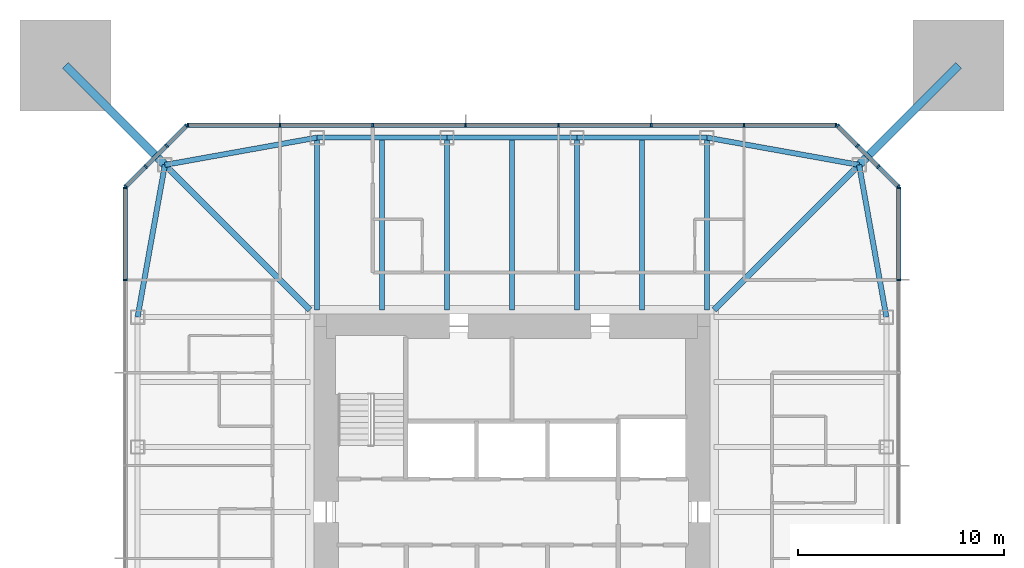
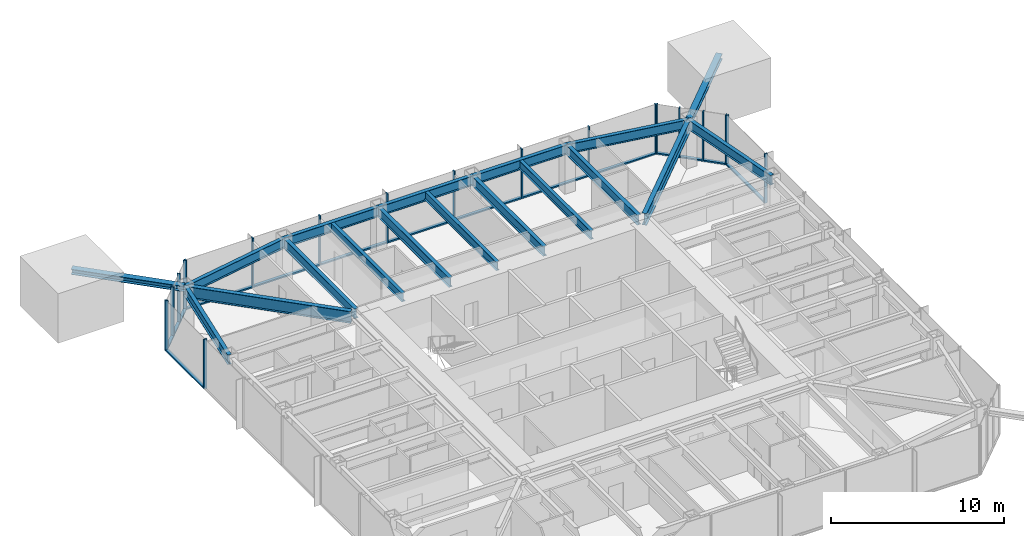
# One storey, part 4 of 11: 37 members, 16 beams, 5 elements without a shape of their own.
"""IFC4 building model written with IfcOpenShell, lengths in metres."""

from ifc_helpers import new_model, si_unit, direction, frame, origin, origin_2d, place, context, subcontext, project, spatial, rectangle, i_section, extrude, material, material_profile, profile_set, type_object, element, aggregate, save


model = new_model("IFC4")

# Units and contexts
model_context = context("Model", 3, precision=1e-05, world=origin(), true_north=direction((0.0, 1.0)))
body_context = subcontext(model_context, "Body", "Model", "MODEL_VIEW")
ifc_project = project(units=[si_unit("LENGTHUNIT", "METRE"), si_unit("AREAUNIT", "SQUARE_METRE"), si_unit("VOLUMEUNIT", "CUBIC_METRE"), si_unit("PLANEANGLEUNIT", "RADIAN"), si_unit("MASSUNIT", "GRAM", prefix="KILO")], contexts=[model_context])

# Site, building, storey
site_placement = place(None, origin())
site = spatial("IfcSite", under=ifc_project, at=site_placement, CompositionType="ELEMENT")
building_placement = place(site_placement, origin())
building = spatial("IfcBuilding", under=site, at=building_placement, Name="Iwan Alto Co-Living Towers", CompositionType="ELEMENT")
storey_placement = place(building_placement, frame((0.0, 0.0, 202.0)))
storey = spatial("IfcBuildingStorey", under=building, at=storey_placement, Name="L55", CompositionType="ELEMENT", Elevation=202.0)

# Curtain wall, members
ifc_material_1 = material(Name="Bronze aluminium unitised frame", Category="aluminium")
curtain_wall_type_1 = type_object("IfcCurtainWallType", Name="CURTAIN WALL CW-A", PredefinedType="NOTDEFINED", material=ifc_material_1)
curtain_wall_1_placement = place(storey_placement, origin())
curtain_wall_1 = element("IfcCurtainWall", 1, at=curtain_wall_1_placement, inside=storey, type_object=curtain_wall_type_1, Name="T1 curtain wall E L55", PredefinedType="NOTDEFINED")
ifc_material_2 = material(Name="Aluminium 6063-T6 bronze anodised", Category="aluminium")
ifc_material_profile_1 = material_profile(ifc_material_2, rectangle(XDim=0.199951171875, YDim=0.080078125, at=origin_2d()), Name="AL 80X200")
ifc_profile_set_1 = profile_set([ifc_material_profile_1], Name="Aluminium 6063-T6 bronze anodised")
member_type_1 = type_object("IfcMemberType", Name="CW-A MULLION 80X200", PredefinedType="MULLION", material=ifc_profile_set_1)
member_1_placement = place(storey_placement, frame((18.75, 11.25, 0.0), z_axis=(0.0, 0.0, 1.0), x_axis=(-1.0, 0.0, 0.0)))
member_1 = element("IfcMember", 2, at=member_1_placement, type_object=member_type_1, Name="CW-A mullion 7", PredefinedType="MULLION", context=body_context, shape_type="SweptSolid", body=[
    extrude(rectangle(XDim=0.199951171875, YDim=0.080078125, at=origin_2d()), origin(), (0.0, 0.0, 1.0), 3.5),
])
member_2_placement = place(storey_placement, frame((18.75, 15.7099609375, 0.0), z_axis=(0.0, 0.0, 1.0), x_axis=(-1.0, 0.0, 0.0)))
member_2 = element("IfcMember", 3, at=member_2_placement, type_object=member_type_1, Name="CW-A mullion 8", PredefinedType="MULLION", context=body_context, shape_type="SweptSolid", body=[
    extrude(rectangle(XDim=0.199951171875, YDim=0.080078125, at=origin_2d()), origin(), (0.0, 0.0, 1.0), 3.5),
])

curtain_wall_2_placement = place(storey_placement, origin())
curtain_wall_2 = element("IfcCurtainWall", 4, at=curtain_wall_2_placement, inside=storey, type_object=curtain_wall_type_1, Name="T1 curtain wall N L55", PredefinedType="NOTDEFINED")
member_3_placement = place(storey_placement, frame((15.7099609375, 18.75, 0.0), z_axis=(0.0, 0.0, 1.0), x_axis=(0.0, -1.0, 0.0)))
member_3 = element("IfcMember", 5, at=member_3_placement, type_object=member_type_1, Name="CW-A mullion 1", PredefinedType="MULLION", context=body_context, shape_type="SweptSolid", body=[
    extrude(rectangle(XDim=0.199951171875, YDim=0.080078125, at=origin_2d()), origin(), (0.0, 0.0, 1.0), 3.5),
])
member_4_placement = place(storey_placement, frame((11.25, 18.75, 0.0), z_axis=(0.0, 0.0, 1.0), x_axis=(0.0, -1.0, 0.0)))
member_4 = element("IfcMember", 6, at=member_4_placement, type_object=member_type_1, Name="CW-A mullion 2", PredefinedType="MULLION", context=body_context, shape_type="SweptSolid", body=[
    extrude(rectangle(XDim=0.199951171875, YDim=0.080078125, at=origin_2d()), origin(), (0.0, 0.0, 1.0), 3.5),
])
member_5_placement = place(storey_placement, frame((6.75, 18.75, 0.0), z_axis=(0.0, 0.0, 1.0), x_axis=(0.0, -1.0, 0.0)))
member_5 = element("IfcMember", 7, at=member_5_placement, type_object=member_type_1, Name="CW-A mullion 3", PredefinedType="MULLION", context=body_context, shape_type="SweptSolid", body=[
    extrude(rectangle(XDim=0.199951171875, YDim=0.080078125, at=origin_2d()), origin(), (0.0, 0.0, 1.0), 3.5),
])
member_6_placement = place(storey_placement, frame((2.25, 18.75, 0.0), z_axis=(0.0, 0.0, 1.0), x_axis=(0.0, -1.0, 0.0)))
member_6 = element("IfcMember", 8, at=member_6_placement, type_object=member_type_1, Name="CW-A mullion 4", PredefinedType="MULLION", context=body_context, shape_type="SweptSolid", body=[
    extrude(rectangle(XDim=0.199951171875, YDim=0.080078125, at=origin_2d()), origin(), (0.0, 0.0, 1.0), 3.5),
])
member_7_placement = place(storey_placement, frame((-2.25, 18.75, 0.0), z_axis=(0.0, 0.0, 1.0), x_axis=(0.0, -1.0, 0.0)))
member_7 = element("IfcMember", 9, at=member_7_placement, type_object=member_type_1, Name="CW-A mullion 5", PredefinedType="MULLION", context=body_context, shape_type="SweptSolid", body=[
    extrude(rectangle(XDim=0.199951171875, YDim=0.080078125, at=origin_2d()), origin(), (0.0, 0.0, 1.0), 3.5),
])
member_8_placement = place(storey_placement, frame((-6.75, 18.75, 0.0), z_axis=(0.0, 0.0, 1.0), x_axis=(0.0, -1.0, 0.0)))
member_8 = element("IfcMember", 10, at=member_8_placement, type_object=member_type_1, Name="CW-A mullion 6", PredefinedType="MULLION", context=body_context, shape_type="SweptSolid", body=[
    extrude(rectangle(XDim=0.199951171875, YDim=0.080078125, at=origin_2d()), origin(), (0.0, 0.0, 1.0), 3.5),
])
member_9_placement = place(storey_placement, frame((-11.25, 18.75, 0.0), z_axis=(0.0, 0.0, 1.0), x_axis=(0.0, -1.0, 0.0)))
member_9 = element("IfcMember", 11, at=member_9_placement, type_object=member_type_1, Name="CW-A mullion 7", PredefinedType="MULLION", context=body_context, shape_type="SweptSolid", body=[
    extrude(rectangle(XDim=0.199951171875, YDim=0.080078125, at=origin_2d()), origin(), (0.0, 0.0, 1.0), 3.5),
])
member_10_placement = place(storey_placement, frame((-15.7099609375, 18.75, 0.0), z_axis=(0.0, 0.0, 1.0), x_axis=(0.0, -1.0, 0.0)))
member_10 = element("IfcMember", 12, at=member_10_placement, type_object=member_type_1, Name="CW-A mullion 8", PredefinedType="MULLION", context=body_context, shape_type="SweptSolid", body=[
    extrude(rectangle(XDim=0.199951171875, YDim=0.080078125, at=origin_2d()), origin(), (0.0, 0.0, 1.0), 3.5),
])

curtain_wall_3_placement = place(storey_placement, origin())
curtain_wall_3 = element("IfcCurtainWall", 13, at=curtain_wall_3_placement, inside=storey, type_object=curtain_wall_type_1, Name="T1 curtain wall W L55", PredefinedType="NOTDEFINED")
member_11_placement = place(storey_placement, frame((-18.75, 15.7099609375, 0.0), z_axis=(0.0, 0.0, 1.0), x_axis=(1.0, 0.0, 0.0)))
member_11 = element("IfcMember", 14, at=member_11_placement, type_object=member_type_1, Name="CW-A mullion 1", PredefinedType="MULLION", context=body_context, shape_type="SweptSolid", body=[
    extrude(rectangle(XDim=0.199951171875, YDim=0.080078125, at=origin_2d()), origin(), (0.0, 0.0, 1.0), 3.5),
])
member_12_placement = place(storey_placement, frame((-18.75, 11.25, 0.0), z_axis=(0.0, 0.0, 1.0), x_axis=(1.0, 0.0, 0.0)))
member_12 = element("IfcMember", 15, at=member_12_placement, type_object=member_type_1, Name="CW-A mullion 2", PredefinedType="MULLION", context=body_context, shape_type="SweptSolid", body=[
    extrude(rectangle(XDim=0.199951171875, YDim=0.080078125, at=origin_2d()), origin(), (0.0, 0.0, 1.0), 3.5),
])

# Member
ifc_material_3 = material(Name="Aluminium 6063-T6 bronze anodised", Category="aluminium")
ifc_material_profile_2 = material_profile(ifc_material_3, rectangle(XDim=0.199951171875, YDim=0.10009765625, at=origin_2d()), Name="AL 200X100")
ifc_profile_set_2 = profile_set([ifc_material_profile_2], Name="Aluminium 6063-T6 bronze anodised")
member_type_2 = type_object("IfcMemberType", Name="CW-A TRANSOM 200X100", PredefinedType="USERDEFINED", material=ifc_profile_set_2)
member_13_placement = place(storey_placement, frame((18.75, 11.2900390625, 0.050048828125), z_axis=(0.0, 1.0, 0.0), x_axis=(-1.0, 0.0, 0.0)))
member_13 = element("IfcMember", 16, at=member_13_placement, type_object=member_type_2, Name="CW-A transom 7.1", ObjectType="TRANSOM", PredefinedType="USERDEFINED", context=body_context, shape_type="SweptSolid", body=[
    extrude(rectangle(XDim=0.199951171875, YDim=0.10009765625, at=origin_2d()), origin(), (0.0, 0.0, 1.0), 4.3798828125),
])

aggregate(curtain_wall_1, [member_1, member_2, member_13])

member_14_placement = place(storey_placement, frame((15.669921875, 18.75, 0.050048828125), z_axis=(-1.0, 0.0, 0.0), x_axis=(0.0, -1.0, 0.0)))
member_14 = element("IfcMember", 17, at=member_14_placement, type_object=member_type_2, Name="CW-A transom 1.1", ObjectType="TRANSOM", PredefinedType="USERDEFINED", context=body_context, shape_type="SweptSolid", body=[
    extrude(rectangle(XDim=0.199951171875, YDim=0.10009765625, at=origin_2d()), origin(), (0.0, 0.0, 1.0), 4.3798828125),
])

member_15_placement = place(storey_placement, frame((11.2099609375, 18.75, 0.050048828125), z_axis=(-1.0, 0.0, 0.0), x_axis=(0.0, -1.0, 0.0)))
member_15 = element("IfcMember", 18, at=member_15_placement, type_object=member_type_2, Name="CW-A transom 2.1", ObjectType="TRANSOM", PredefinedType="USERDEFINED", context=body_context, shape_type="SweptSolid", body=[
    extrude(rectangle(XDim=0.199951171875, YDim=0.10009765625, at=origin_2d()), origin(), (0.0, 0.0, 1.0), 4.419921875),
])

member_16_placement = place(storey_placement, frame((6.7099609375, 18.75, 0.050048828125), z_axis=(-1.0, 0.0, 0.0), x_axis=(0.0, -1.0, 0.0)))
member_16 = element("IfcMember", 19, at=member_16_placement, type_object=member_type_2, Name="CW-A transom 3.1", ObjectType="TRANSOM", PredefinedType="USERDEFINED", context=body_context, shape_type="SweptSolid", body=[
    extrude(rectangle(XDim=0.199951171875, YDim=0.10009765625, at=origin_2d()), origin(), (0.0, 0.0, 1.0), 4.419921875),
])

member_17_placement = place(storey_placement, frame((2.2099609375, 18.75, 0.050048828125), z_axis=(-1.0, 0.0, 0.0), x_axis=(0.0, -1.0, 0.0)))
member_17 = element("IfcMember", 20, at=member_17_placement, type_object=member_type_2, Name="CW-A transom 4.1", ObjectType="TRANSOM", PredefinedType="USERDEFINED", context=body_context, shape_type="SweptSolid", body=[
    extrude(rectangle(XDim=0.199951171875, YDim=0.10009765625, at=origin_2d()), origin(), (0.0, 0.0, 1.0), 4.419921875),
])

member_18_placement = place(storey_placement, frame((-2.2900390625, 18.75, 0.050048828125), z_axis=(-1.0, 0.0, 0.0), x_axis=(0.0, -1.0, 0.0)))
member_18 = element("IfcMember", 21, at=member_18_placement, type_object=member_type_2, Name="CW-A transom 5.1", ObjectType="TRANSOM", PredefinedType="USERDEFINED", context=body_context, shape_type="SweptSolid", body=[
    extrude(rectangle(XDim=0.199951171875, YDim=0.10009765625, at=origin_2d()), origin(), (0.0, 0.0, 1.0), 4.419921875),
])

member_19_placement = place(storey_placement, frame((-6.7900390625, 18.75, 0.050048828125), z_axis=(-1.0, 0.0, 0.0), x_axis=(0.0, -1.0, 0.0)))
member_19 = element("IfcMember", 22, at=member_19_placement, type_object=member_type_2, Name="CW-A transom 6.1", ObjectType="TRANSOM", PredefinedType="USERDEFINED", context=body_context, shape_type="SweptSolid", body=[
    extrude(rectangle(XDim=0.199951171875, YDim=0.10009765625, at=origin_2d()), origin(), (0.0, 0.0, 1.0), 4.419921875),
])

member_20_placement = place(storey_placement, frame((-11.2900390625, 18.75, 0.050048828125), z_axis=(-1.0, 0.0, 0.0), x_axis=(0.0, -1.0, 0.0)))
member_20 = element("IfcMember", 23, at=member_20_placement, type_object=member_type_2, Name="CW-A transom 7.1", ObjectType="TRANSOM", PredefinedType="USERDEFINED", context=body_context, shape_type="SweptSolid", body=[
    extrude(rectangle(XDim=0.199951171875, YDim=0.10009765625, at=origin_2d()), origin(), (0.0, 0.0, 1.0), 4.3798828125),
])

aggregate(curtain_wall_2, [member_3, member_4, member_5, member_6, member_7, member_8, member_9, member_10, member_14, member_15, member_16, member_17, member_18, member_19, member_20])

member_21_placement = place(storey_placement, frame((-18.75, 15.669921875, 0.050048828125), z_axis=(0.0, -1.0, 0.0), x_axis=(1.0, 0.0, 0.0)))
member_21 = element("IfcMember", 24, at=member_21_placement, type_object=member_type_2, Name="CW-A transom 1.1", ObjectType="TRANSOM", PredefinedType="USERDEFINED", context=body_context, shape_type="SweptSolid", body=[
    extrude(rectangle(XDim=0.199951171875, YDim=0.10009765625, at=origin_2d()), origin(), (0.0, 0.0, 1.0), 4.3798828125),
])

aggregate(curtain_wall_3, [member_11, member_12, member_21])

# Curtain wall, members
ifc_material_4 = material(Name="Bronze aluminium unitised frame", Category="aluminium")
curtain_wall_type_2 = type_object("IfcCurtainWallType", Name="CURTAIN WALL CW-B", PredefinedType="NOTDEFINED", material=ifc_material_4)
curtain_wall_4_placement = place(storey_placement, origin())
curtain_wall_4 = element("IfcCurtainWall", 25, at=curtain_wall_4_placement, inside=storey, type_object=curtain_wall_type_2, Name="T1 chamfer curtain wall NE L55", PredefinedType="NOTDEFINED")
ifc_material_5 = material(Name="Aluminium 6063-T6 bronze anodised", Category="aluminium")
ifc_material_profile_3 = material_profile(ifc_material_5, rectangle(XDim=0.199951171875, YDim=0.080078125, at=origin_2d()), Name="AL 80X200")
ifc_profile_set_3 = profile_set([ifc_material_profile_3], Name="Aluminium 6063-T6 bronze anodised")
member_type_3 = type_object("IfcMemberType", Name="CW-B MULLION 80X200", PredefinedType="MULLION", material=ifc_profile_set_3)
member_22_placement = place(storey_placement, frame((18.7216796875, 15.7783203125, 0.0), z_axis=(0.0, 0.0, 1.0), x_axis=(-0.707106781187, -0.707106781187, 0.0)))
member_22 = element("IfcMember", 26, at=member_22_placement, type_object=member_type_3, Name="CW-B mullion 1", PredefinedType="MULLION", context=body_context, shape_type="SweptSolid", body=[
    extrude(rectangle(XDim=0.199951171875, YDim=0.080078125, at=origin_2d()), origin(), (0.0, 0.0, 1.0), 3.5),
])
member_23_placement = place(storey_placement, frame((17.75, 16.75, 0.0), z_axis=(0.0, 0.0, 1.0), x_axis=(-0.707106781187, -0.707106781187, 0.0)))
member_23 = element("IfcMember", 27, at=member_23_placement, type_object=member_type_3, Name="CW-B mullion 2", PredefinedType="MULLION", context=body_context, shape_type="SweptSolid", body=[
    extrude(rectangle(XDim=0.199951171875, YDim=0.080078125, at=origin_2d()), origin(), (0.0, 0.0, 1.0), 3.5),
])
member_24_placement = place(storey_placement, frame((16.75, 17.75, 0.0), z_axis=(0.0, 0.0, 1.0), x_axis=(-0.707106781187, -0.707106781187, 0.0)))
member_24 = element("IfcMember", 28, at=member_24_placement, type_object=member_type_3, Name="CW-B mullion 3", PredefinedType="MULLION", context=body_context, shape_type="SweptSolid", body=[
    extrude(rectangle(XDim=0.199951171875, YDim=0.080078125, at=origin_2d()), origin(), (0.0, 0.0, 1.0), 3.5),
])
member_25_placement = place(storey_placement, frame((15.7783203125, 18.7216796875, 0.0), z_axis=(0.0, 0.0, 1.0), x_axis=(-0.707106781187, -0.707106781187, 0.0)))
member_25 = element("IfcMember", 29, at=member_25_placement, type_object=member_type_3, Name="CW-B mullion 4", PredefinedType="MULLION", context=body_context, shape_type="SweptSolid", body=[
    extrude(rectangle(XDim=0.199951171875, YDim=0.080078125, at=origin_2d()), origin(), (0.0, 0.0, 1.0), 3.5),
])

curtain_wall_5_placement = place(storey_placement, origin())
curtain_wall_5 = element("IfcCurtainWall", 30, at=curtain_wall_5_placement, inside=storey, type_object=curtain_wall_type_2, Name="T1 chamfer curtain wall NW L55", PredefinedType="NOTDEFINED")
member_26_placement = place(storey_placement, frame((-15.7783203125, 18.7216796875, 0.0), z_axis=(0.0, 0.0, 1.0), x_axis=(0.707106781187, -0.707106781187, 0.0)))
member_26 = element("IfcMember", 31, at=member_26_placement, type_object=member_type_3, Name="CW-B mullion 1", PredefinedType="MULLION", context=body_context, shape_type="SweptSolid", body=[
    extrude(rectangle(XDim=0.199951171875, YDim=0.080078125, at=origin_2d()), origin(), (0.0, 0.0, 1.0), 3.5),
])
member_27_placement = place(storey_placement, frame((-16.75, 17.75, 0.0), z_axis=(0.0, 0.0, 1.0), x_axis=(0.707106781187, -0.707106781187, 0.0)))
member_27 = element("IfcMember", 32, at=member_27_placement, type_object=member_type_3, Name="CW-B mullion 2", PredefinedType="MULLION", context=body_context, shape_type="SweptSolid", body=[
    extrude(rectangle(XDim=0.199951171875, YDim=0.080078125, at=origin_2d()), origin(), (0.0, 0.0, 1.0), 3.5),
])
member_28_placement = place(storey_placement, frame((-17.75, 16.75, 0.0), z_axis=(0.0, 0.0, 1.0), x_axis=(0.707106781187, -0.707106781187, 0.0)))
member_28 = element("IfcMember", 33, at=member_28_placement, type_object=member_type_3, Name="CW-B mullion 3", PredefinedType="MULLION", context=body_context, shape_type="SweptSolid", body=[
    extrude(rectangle(XDim=0.199951171875, YDim=0.080078125, at=origin_2d()), origin(), (0.0, 0.0, 1.0), 3.5),
])
member_29_placement = place(storey_placement, frame((-18.7216796875, 15.7783203125, 0.0), z_axis=(0.0, 0.0, 1.0), x_axis=(0.707106781187, -0.707106781187, 0.0)))
member_29 = element("IfcMember", 34, at=member_29_placement, type_object=member_type_3, Name="CW-B mullion 4", PredefinedType="MULLION", context=body_context, shape_type="SweptSolid", body=[
    extrude(rectangle(XDim=0.199951171875, YDim=0.080078125, at=origin_2d()), origin(), (0.0, 0.0, 1.0), 3.5),
])

# Member
ifc_material_6 = material(Name="Aluminium 6063-T6 bronze anodised", Category="aluminium")
ifc_material_profile_4 = material_profile(ifc_material_6, rectangle(XDim=0.199951171875, YDim=0.10009765625, at=origin_2d()), Name="AL 200X100")
ifc_profile_set_4 = profile_set([ifc_material_profile_4], Name="Aluminium 6063-T6 bronze anodised")
member_type_4 = type_object("IfcMemberType", Name="CW-B TRANSOM 200X100", PredefinedType="USERDEFINED", material=ifc_profile_set_4)
member_30_placement = place(storey_placement, frame((18.693359375, 15.806640625, 0.050048828125), z_axis=(-0.707106781187, 0.707106781187, 0.0), x_axis=(-0.707106781187, -0.707106781187, 0.0)))
member_30 = element("IfcMember", 35, at=member_30_placement, type_object=member_type_4, Name="CW-B transom 1.1", ObjectType="TRANSOM", PredefinedType="USERDEFINED", context=body_context, shape_type="SweptSolid", body=[
    extrude(rectangle(XDim=0.199951171875, YDim=0.10009765625, at=origin_2d()), origin(), (0.0, 0.0, 1.0), 1.2939453125),
])

member_31_placement = place(storey_placement, frame((17.7216796875, 16.7783203125, 0.050048828125), z_axis=(-0.707106781187, 0.707106781187, 0.0), x_axis=(-0.707106781187, -0.707106781187, 0.0)))
member_31 = element("IfcMember", 36, at=member_31_placement, type_object=member_type_4, Name="CW-B transom 2.1", ObjectType="TRANSOM", PredefinedType="USERDEFINED", context=body_context, shape_type="SweptSolid", body=[
    extrude(rectangle(XDim=0.199951171875, YDim=0.10009765625, at=origin_2d()), origin(), (0.0, 0.0, 1.0), 1.334228515625),
])

member_32_placement = place(storey_placement, frame((16.7216796875, 17.7783203125, 0.050048828125), z_axis=(-0.707106781187, 0.707106781187, 0.0), x_axis=(-0.707106781187, -0.707106781187, 0.0)))
member_32 = element("IfcMember", 37, at=member_32_placement, type_object=member_type_4, Name="CW-B transom 3.1", ObjectType="TRANSOM", PredefinedType="USERDEFINED", context=body_context, shape_type="SweptSolid", body=[
    extrude(rectangle(XDim=0.199951171875, YDim=0.10009765625, at=origin_2d()), origin(), (0.0, 0.0, 1.0), 1.2939453125),
])

aggregate(curtain_wall_4, [member_22, member_23, member_24, member_25, member_30, member_31, member_32])

member_33_placement = place(storey_placement, frame((-15.806640625, 18.693359375, 0.050048828125), z_axis=(-0.707106781187, -0.707106781187, 0.0), x_axis=(0.707106781187, -0.707106781187, 0.0)))
member_33 = element("IfcMember", 38, at=member_33_placement, type_object=member_type_4, Name="CW-B transom 1.1", ObjectType="TRANSOM", PredefinedType="USERDEFINED", context=body_context, shape_type="SweptSolid", body=[
    extrude(rectangle(XDim=0.199951171875, YDim=0.10009765625, at=origin_2d()), origin(), (0.0, 0.0, 1.0), 1.2939453125),
])

member_34_placement = place(storey_placement, frame((-16.7783203125, 17.7216796875, 0.050048828125), z_axis=(-0.707106781187, -0.707106781187, 0.0), x_axis=(0.707106781187, -0.707106781187, 0.0)))
member_34 = element("IfcMember", 39, at=member_34_placement, type_object=member_type_4, Name="CW-B transom 2.1", ObjectType="TRANSOM", PredefinedType="USERDEFINED", context=body_context, shape_type="SweptSolid", body=[
    extrude(rectangle(XDim=0.199951171875, YDim=0.10009765625, at=origin_2d()), origin(), (0.0, 0.0, 1.0), 1.334228515625),
])

member_35_placement = place(storey_placement, frame((-17.7783203125, 16.7216796875, 0.050048828125), z_axis=(-0.707106781187, -0.707106781187, 0.0), x_axis=(0.707106781187, -0.707106781187, 0.0)))
member_35 = element("IfcMember", 40, at=member_35_placement, type_object=member_type_4, Name="CW-B transom 3.1", ObjectType="TRANSOM", PredefinedType="USERDEFINED", context=body_context, shape_type="SweptSolid", body=[
    extrude(rectangle(XDim=0.199951171875, YDim=0.10009765625, at=origin_2d()), origin(), (0.0, 0.0, 1.0), 1.2939453125),
])

aggregate(curtain_wall_5, [member_26, member_27, member_28, member_29, member_33, member_34, member_35])

# Beams
ifc_material_7 = material(Name="Steel ASTM A992 Gr 50", Category="steel")
ifc_material_profile_5 = material_profile(ifc_material_7, i_section(OverallWidth=0.2919921875, OverallDepth=0.8408203125, WebThickness=0.0146484375, FlangeThickness=0.021728515625, at=origin_2d()), Name="W33X130")
ifc_profile_set_5 = profile_set([ifc_material_profile_5], Name="Steel ASTM A992 Gr 50")
beam_type_1 = type_object("IfcBeamType", Name="T1 CORNER GIRDER W33X130", PredefinedType="BEAM", material=ifc_profile_set_5)
for number, where, z_axis, x_axis, name in (
    (41, (16.82568359375, 16.82568359375, 2.849609375), (-0.707106781187, -0.707106781187, 0.0), (0.707106781187, -0.707106781187, 0.0), "T1 corner girder CNE L56"),
    (42, (-16.82568359375, 16.82568359375, 2.849609375), (0.707106781187, -0.707106781187, 0.0), (0.707106781187, 0.707106781187, 0.0), "T1 corner girder CNW L56"),
):
    element("IfcBeam", number, at=place(storey_placement, frame(where, z_axis=z_axis, x_axis=x_axis)), inside=storey, type_object=beam_type_1, Name=name, PredefinedType="BEAM", context=body_context, shape_type="SweptSolid", body=[
        extrude(i_section(OverallWidth=0.2919921875, OverallDepth=0.8408203125, WebThickness=0.0146484375, FlangeThickness=0.021728515625, at=origin_2d()), origin(), (0.0, 0.0, 1.0), 9.936767578125),
    ])
ifc_material_8 = material(Name="Steel ASTM A992 Gr 50", Category="steel")
ifc_material_profile_6 = material_profile(ifc_material_8, i_section(OverallWidth=0.25390625, OverallDepth=0.683349609375, WebThickness=0.012451171875, FlangeThickness=0.018798828125, at=origin_2d()), Name="W27X94")
ifc_profile_set_6 = profile_set([ifc_material_profile_6], Name="Steel ASTM A992 Gr 50")
beam_type_2 = type_object("IfcBeamType", Name="T1 EDGE BEAM W27X94", PredefinedType="BEAM", material=ifc_profile_set_6)
for number, where, z_axis, x_axis, name in (
    (43, (18.14990234375, 9.449951171875, 2.928466796875), (-0.17671181143, 0.98426263553, 0.0), (-0.98426263553, -0.17671181143, 0.0), "T1 edge beam E4 L56"),
    (44, (16.82568359375, 16.82568359375, 2.928466796875), (-0.98426263553, 0.17671181143, 0.0), (-0.17671181143, -0.98426263553, 0.0), "T1 edge beam CNE L56"),
):
    element("IfcBeam", number, at=place(storey_placement, frame(where, z_axis=z_axis, x_axis=x_axis)), inside=storey, type_object=beam_type_2, Name=name, PredefinedType="BEAM", context=body_context, shape_type="SweptSolid", body=[
        extrude(i_section(OverallWidth=0.25390625, OverallDepth=0.683349609375, WebThickness=0.012451171875, FlangeThickness=0.018798828125, at=origin_2d()), origin(), (0.0, 0.0, 1.0), 7.49365234375),
    ])
beam_1_placement = place(storey_placement, frame((9.449951171875, 18.14990234375, 2.928466796875), z_axis=(-1.0, 0.0, 0.0), x_axis=(0.0, -1.0, 0.0)))
element("IfcBeam", 45, at=beam_1_placement, inside=storey, type_object=beam_type_2, Name="T1 edge beam N1 L56", PredefinedType="BEAM", context=body_context, shape_type="SweptSolid", body=[
    extrude(i_section(OverallWidth=0.25390625, OverallDepth=0.683349609375, WebThickness=0.012451171875, FlangeThickness=0.018798828125, at=origin_2d()), origin(), (0.0, 0.0, 1.0), 6.300048828125),
])
beam_2_placement = place(storey_placement, frame((3.14990234375, 18.14990234375, 2.928466796875), z_axis=(-1.0, 0.0, 0.0), x_axis=(0.0, -1.0, 0.0)))
element("IfcBeam", 46, at=beam_2_placement, inside=storey, type_object=beam_type_2, Name="T1 edge beam N2 L56", PredefinedType="BEAM", context=body_context, shape_type="SweptSolid", body=[
    extrude(i_section(OverallWidth=0.25390625, OverallDepth=0.683349609375, WebThickness=0.012451171875, FlangeThickness=0.018798828125, at=origin_2d()), origin(), (0.0, 0.0, 1.0), 6.2998046875),
])
beam_3_placement = place(storey_placement, frame((-3.14990234375, 18.14990234375, 2.928466796875), z_axis=(-1.0, 0.0, 0.0), x_axis=(0.0, -1.0, 0.0)))
element("IfcBeam", 47, at=beam_3_placement, inside=storey, type_object=beam_type_2, Name="T1 edge beam N3 L56", PredefinedType="BEAM", context=body_context, shape_type="SweptSolid", body=[
    extrude(i_section(OverallWidth=0.25390625, OverallDepth=0.683349609375, WebThickness=0.012451171875, FlangeThickness=0.018798828125, at=origin_2d()), origin(), (0.0, 0.0, 1.0), 6.300048828125),
])
for number, where, z_axis, x_axis, name in (
    (48, (-9.449951171875, 18.14990234375, 2.928466796875), (-0.98426263553, -0.17671181143, 0.0), (0.17671181143, -0.98426263553, 0.0), "T1 edge beam N4 L56"),
    (49, (-16.82568359375, 16.82568359375, 2.928466796875), (-0.17671181143, -0.98426263553, 0.0), (0.98426263553, -0.17671181143, 0.0), "T1 edge beam CNW L56"),
):
    element("IfcBeam", number, at=place(storey_placement, frame(where, z_axis=z_axis, x_axis=x_axis)), inside=storey, type_object=beam_type_2, Name=name, PredefinedType="BEAM", context=body_context, shape_type="SweptSolid", body=[
        extrude(i_section(OverallWidth=0.25390625, OverallDepth=0.683349609375, WebThickness=0.012451171875, FlangeThickness=0.018798828125, at=origin_2d()), origin(), (0.0, 0.0, 1.0), 7.49365234375),
    ])

# Members
ifc_material_9 = material(Name="Steel ASTM A992 Gr 50", Category="steel")
ifc_material_profile_7 = material_profile(ifc_material_9, i_section(OverallWidth=0.393798828125, OverallDepth=0.3759765625, WebThickness=0.017333984375, FlangeThickness=0.027587890625, at=origin_2d()), Name="W14X145")
ifc_profile_set_7 = profile_set([ifc_material_profile_7], Name="Steel ASTM A992 Gr 50")
member_type_5 = type_object("IfcMemberType", Name="T1 MEGA COLUMN FLOOR TIE W14X145", PredefinedType="STRUT", material=ifc_profile_set_7)
for number, where, z_axis, x_axis, name in (
    (50, (21.64990234375, 21.64990234375, 3.08203125), (-0.707106781187, -0.707106781187, 0.0), (0.707106781187, -0.707106781187, 0.0), "T1 mega column floor tie NE L56"),
    (51, (-21.64990234375, 21.64990234375, 3.08203125), (0.707106781187, -0.707106781187, 0.0), (0.707106781187, 0.707106781187, 0.0), "T1 mega column floor tie NW L56"),
):
    element("IfcMember", number, at=place(storey_placement, frame(where, z_axis=z_axis, x_axis=x_axis)), inside=storey, type_object=member_type_5, Name=name, PredefinedType="STRUT", context=body_context, shape_type="SweptSolid", body=[
        extrude(i_section(OverallWidth=0.393798828125, OverallDepth=0.3759765625, WebThickness=0.017333984375, FlangeThickness=0.027587890625, at=origin_2d()), origin(), (0.0, 0.0, 1.0), 6.822509765625),
    ])

# Beams
ifc_material_10 = material(Name="Steel ASTM A992 Gr 50", Category="steel")
ifc_material_profile_8 = material_profile(ifc_material_10, i_section(OverallWidth=0.25390625, OverallDepth=0.683349609375, WebThickness=0.012451171875, FlangeThickness=0.018798828125, at=origin_2d()), Name="W27X94")
ifc_profile_set_8 = profile_set([ifc_material_profile_8], Name="Steel ASTM A992 Gr 50")
beam_type_3 = type_object("IfcBeamType", Name="T1 RADIAL BEAM W27X94", PredefinedType="BEAM", material=ifc_profile_set_8)
for number, where, z_axis, x_axis, name in (
    (52, (9.449951171875, 18.14990234375, 2.928466796875), (0.0, -1.0, 0.0), (1.0, 0.0, 0.0), "T1 radial beam N1 L56"),
    (53, (3.14990234375, 18.14990234375, 2.928466796875), (0.0, -1.0, 0.0), (1.0, 0.0, 0.0), "T1 radial beam N2 L56"),
    (54, (-3.14990234375, 18.14990234375, 2.928466796875), (0.0, -1.0, 0.0), (1.0, 0.0, 0.0), "T1 radial beam N3 L56"),
    (55, (-9.449951171875, 18.14990234375, 2.928466796875), (0.0, -1.0, 0.0), (1.0, 0.0, 0.0), "T1 radial beam N4 L56"),
):
    element("IfcBeam", number, at=place(storey_placement, frame(where, z_axis=z_axis, x_axis=x_axis)), inside=storey, type_object=beam_type_3, Name=name, PredefinedType="BEAM", context=body_context, shape_type="SweptSolid", body=[
        extrude(i_section(OverallWidth=0.25390625, OverallDepth=0.683349609375, WebThickness=0.012451171875, FlangeThickness=0.018798828125, at=origin_2d()), origin(), (0.0, 0.0, 1.0), 8.3505859375),
    ])
ifc_material_11 = material(Name="Steel ASTM A992 Gr 50", Category="steel")
ifc_material_profile_9 = material_profile(ifc_material_11, i_section(OverallWidth=0.228271484375, OverallDepth=0.607177734375, WebThickness=0.01123046875, FlangeThickness=0.017333984375, at=origin_2d()), Name="W24X76")
ifc_profile_set_9 = profile_set([ifc_material_profile_9], Name="Steel ASTM A992 Gr 50")
beam_type_4 = type_object("IfcBeamType", Name="T1 SECONDARY BEAM W24X76", PredefinedType="JOIST", material=ifc_profile_set_9)
for number, where, z_axis, x_axis, name in (
    (56, (6.300048828125, 18.14990234375, 2.966552734375), (0.0, -1.0, 0.0), (1.0, 0.0, 0.0), "T1 secondary beam N1 L56"),
    (57, (0.0, 18.14990234375, 2.966552734375), (0.0, -1.0, 0.0), (1.0, 0.0, 0.0), "T1 secondary beam N2 L56"),
    (58, (-6.300048828125, 18.14990234375, 2.966552734375), (0.0, -1.0, 0.0), (1.0, 0.0, 0.0), "T1 secondary beam N3 L56"),
):
    element("IfcBeam", number, at=place(storey_placement, frame(where, z_axis=z_axis, x_axis=x_axis)), inside=storey, type_object=beam_type_4, Name=name, PredefinedType="JOIST", context=body_context, shape_type="SweptSolid", body=[
        extrude(i_section(OverallWidth=0.228271484375, OverallDepth=0.607177734375, WebThickness=0.01123046875, FlangeThickness=0.017333984375, at=origin_2d()), origin(), (0.0, 0.0, 1.0), 8.3505859375),
    ])

save(model, "model.ifc")
